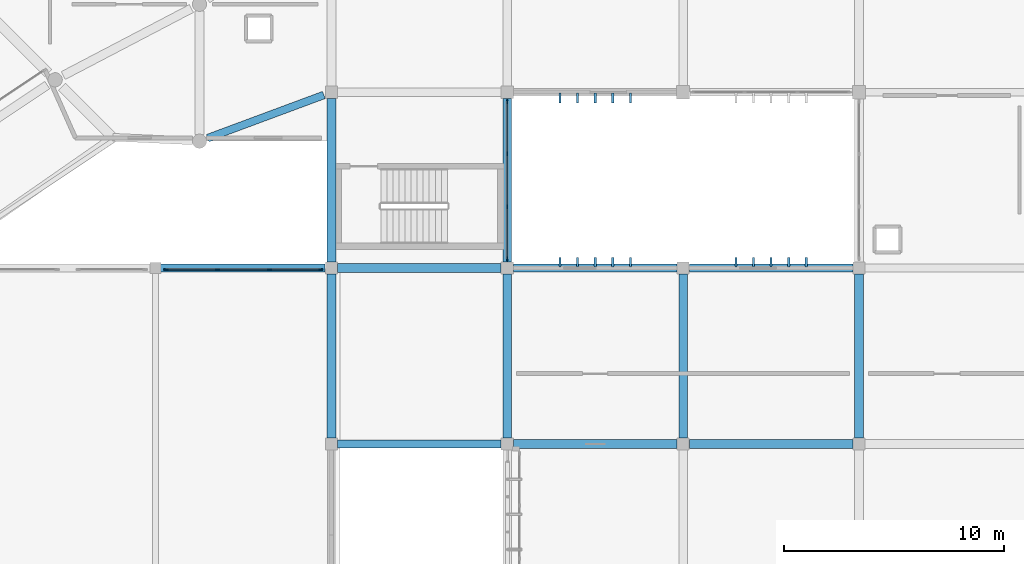
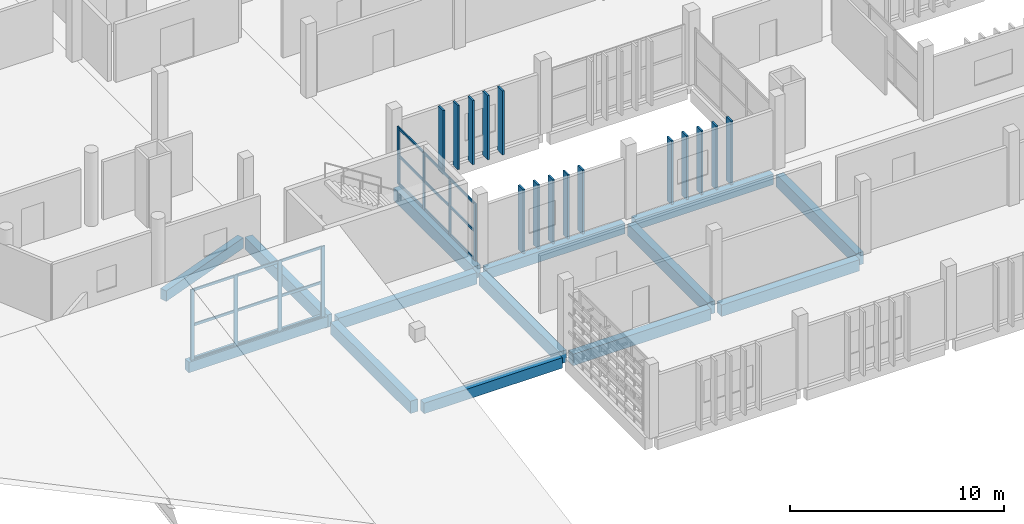
# One storey, part 14 of 83: 41 members, 14 beams, 2 elements without a shape of their own.
"""IFC4 building model written with IfcOpenShell, lengths in metres."""

from ifc_helpers import new_model, si_unit, direction, frame, origin, origin_2d, place, context, subcontext, project, spatial, rectangle, extrude, material, layer, layer_set, material_profile, profile_set, type_object, element, aggregate, save


model = new_model("IFC4")

# Units and contexts
model_context = context("Model", 3, precision=1e-05, world=origin(), true_north=direction((0.0, 1.0)))
body_context = subcontext(model_context, "Body", "Model", "MODEL_VIEW")
ifc_project = project(units=[si_unit("LENGTHUNIT", "METRE"), si_unit("AREAUNIT", "SQUARE_METRE"), si_unit("VOLUMEUNIT", "CUBIC_METRE"), si_unit("PLANEANGLEUNIT", "RADIAN"), si_unit("MASSUNIT", "GRAM", prefix="KILO")], contexts=[model_context])

# Site, building, storey
site_placement = place(None, origin())
site = spatial("IfcSite", under=ifc_project, at=site_placement, CompositionType="ELEMENT")
building_placement = place(site_placement, origin())
building = spatial("IfcBuilding", under=site, at=building_placement, Name="Jelvoka-Kovrelna Polytechnic", CompositionType="ELEMENT")
storey_placement = place(building_placement, frame((0.0, 0.0, 13.800048828125)))
storey = spatial("IfcBuildingStorey", under=building, at=storey_placement, Name="L04", CompositionType="ELEMENT", Elevation=13.800048828125)

# Beams
ifc_material_1 = material(Name="Concrete C40/50", Category="concrete")
ifc_material_profile_1 = material_profile(ifc_material_1, rectangle(XDim=0.39990234375, YDim=0.64990234375, at=origin_2d()), Name="RC 400x650")
ifc_profile_set_1 = profile_set([ifc_material_profile_1], Name="Concrete C40/50")
beam_type_1 = type_object("IfcBeamType", Name="Beam_RC_400x650", PredefinedType="BEAM", material=ifc_profile_set_1)
for number, where, z_axis, x_axis, name in (
    (1, (56.280029296875, 16.0, -0.574951171875), (1.0, 0.0, 0.0), (0.0, 1.0, 0.0), "L04 beam 1119"),
    (2, (64.280029296875, 16.0, -0.574951171875), (1.0, 0.0, 0.0), (0.0, 1.0, 0.0), "L04 beam 1120"),
    (3, (48.280029296875, 24.0, -0.574951171875), (1.0, 0.0, 0.0), (0.0, 1.0, 0.0), "L04 beam 1343"),
):
    element("IfcBeam", number, at=place(storey_placement, frame(where, z_axis=z_axis, x_axis=x_axis)), inside=storey, type_object=beam_type_1, Name=name, PredefinedType="BEAM", context=body_context, shape_type="SweptSolid", body=[
        extrude(rectangle(XDim=0.39990234375, YDim=0.64990234375, at=origin_2d()), origin(), (0.0, 0.0, 1.0), 7.43994140625),
    ])
ifc_material_2 = material(Name="Concrete C40/50", Category="concrete")
ifc_material_profile_2 = material_profile(ifc_material_2, rectangle(XDim=0.39990234375, YDim=0.699951171875, at=origin_2d()), Name="RC 400x700")
ifc_profile_set_2 = profile_set([ifc_material_profile_2], Name="Concrete C40/50")
beam_type_2 = type_object("IfcBeamType", Name="Beam_RC_400x700", PredefinedType="BEAM", material=ifc_profile_set_2)
for number, where, z_axis, x_axis, name in (
    (4, (56.0, 16.280029296875, -0.60009765625), (0.0, 1.0, 0.0), (-1.0, 0.0, 0.0), "L04 beam 1133"),
    (5, (64.0, 16.280029296875, -0.60009765625), (0.0, 1.0, 0.0), (-1.0, 0.0, 0.0), "L04 beam 1135"),
    (6, (72.0, 16.280029296875, -0.60009765625), (0.0, 1.0, 0.0), (-1.0, 0.0, 0.0), "L04 beam 1137"),
    (7, (48.0, 16.280029296875, -0.60009765625), (0.0, 1.0, 0.0), (-1.0, 0.0, 0.0), "L04 beam 1350"),
    (8, (48.0, 24.280029296875, -0.60009765625), (0.0, 1.0, 0.0), (-1.0, 0.0, 0.0), "L04 beam 1351"),
    (9, (56.0, 24.280029296875, -0.60009765625), (0.0, 1.0, 0.0), (-1.0, 0.0, 0.0), "L04 beam 1357"),
):
    element("IfcBeam", number, at=place(storey_placement, frame(where, z_axis=z_axis, x_axis=x_axis)), inside=storey, type_object=beam_type_2, Name=name, PredefinedType="BEAM", context=body_context, shape_type="SweptSolid", body=[
        extrude(rectangle(XDim=0.39990234375, YDim=0.699951171875, at=origin_2d()), origin(), (0.0, 0.0, 1.0), 7.43994140625),
    ])

# Members
ifc_material_3 = material(Name="Precast concrete C40/50", Category="concrete")
ifc_material_profile_3 = material_profile(ifc_material_3, rectangle(XDim=0.10009765625, YDim=0.449951171875, at=origin_2d()), Name="PC 100x450")
ifc_profile_set_3 = profile_set([ifc_material_profile_3], Name="Precast concrete C40/50")
member_type_1 = type_object("IfcMemberType", Name="Louvre_Fin_100x450", PredefinedType="USERDEFINED", material=ifc_profile_set_3)
for number, where, z_axis, x_axis, name in (
    (10, (58.39990234375, 24.264892578125, -0.27001953125), (0.0, 0.0, 1.0), (1.0, 0.0, 0.0), "L04 B1 north vertical solar louvre fin 0341"),
    (11, (59.199951171875, 24.264892578125, -0.27001953125), (0.0, 0.0, 1.0), (1.0, 0.0, 0.0), "L04 B1 north vertical solar louvre fin 0342"),
    (12, (60.0, 24.264892578125, -0.27001953125), (0.0, 0.0, 1.0), (1.0, 0.0, 0.0), "L04 B1 north vertical solar louvre fin 0343"),
    (13, (60.800048828125, 24.264892578125, -0.27001953125), (0.0, 0.0, 1.0), (1.0, 0.0, 0.0), "L04 B1 north vertical solar louvre fin 0344"),
    (14, (61.60009765625, 24.264892578125, -0.27001953125), (0.0, 0.0, 1.0), (1.0, 0.0, 0.0), "L04 B1 north vertical solar louvre fin 0345"),
):
    element("IfcMember", number, at=place(storey_placement, frame(where, z_axis=z_axis, x_axis=x_axis)), inside=storey, type_object=member_type_1, Name=name, ObjectType="SUNSHADE", PredefinedType="USERDEFINED", context=body_context, shape_type="SweptSolid", body=[
        extrude(rectangle(XDim=0.10009765625, YDim=0.449951171875, at=origin_2d()), origin(), (0.0, 0.0, 1.0), 3.669921875),
    ])
for number, where, z_axis, x_axis, name in (
    (15, (66.39990234375, 24.264892578125, -0.27001953125), (0.0, 0.0, 1.0), (1.0, 0.0, 0.0), "L04 B1 north vertical solar louvre fin 0351"),
    (16, (67.199951171875, 24.264892578125, -0.27001953125), (0.0, 0.0, 1.0), (1.0, 0.0, 0.0), "L04 B1 north vertical solar louvre fin 0352"),
    (17, (68.0, 24.264892578125, -0.27001953125), (0.0, 0.0, 1.0), (1.0, 0.0, 0.0), "L04 B1 north vertical solar louvre fin 0353"),
    (18, (68.800048828125, 24.264892578125, -0.27001953125), (0.0, 0.0, 1.0), (1.0, 0.0, 0.0), "L04 B1 north vertical solar louvre fin 0354"),
    (19, (69.60009765625, 24.264892578125, -0.27001953125), (0.0, 0.0, 1.0), (1.0, 0.0, 0.0), "L04 B1 north vertical solar louvre fin 0355"),
    (20, (58.39990234375, 31.735107421875, -0.27001953125), (0.0, 0.0, 1.0), (1.0, 0.0, 0.0), "L04 B2W south vertical solar louvre fin 0701"),
    (21, (59.199951171875, 31.735107421875, -0.27001953125), (0.0, 0.0, 1.0), (1.0, 0.0, 0.0), "L04 B2W south vertical solar louvre fin 0702"),
    (22, (60.0, 31.735107421875, -0.27001953125), (0.0, 0.0, 1.0), (1.0, 0.0, 0.0), "L04 B2W south vertical solar louvre fin 0703"),
    (23, (60.800048828125, 31.735107421875, -0.27001953125), (0.0, 0.0, 1.0), (1.0, 0.0, 0.0), "L04 B2W south vertical solar louvre fin 0704"),
    (24, (61.60009765625, 31.735107421875, -0.27001953125), (0.0, 0.0, 1.0), (1.0, 0.0, 0.0), "L04 B2W south vertical solar louvre fin 0705"),
):
    element("IfcMember", number, at=place(storey_placement, frame(where, z_axis=z_axis, x_axis=x_axis)), inside=storey, type_object=member_type_1, Name=name, ObjectType="SUNSHADE", PredefinedType="USERDEFINED", context=body_context, shape_type="SweptSolid", body=[
        extrude(rectangle(XDim=0.10009765625, YDim=0.449951171875, at=origin_2d()), origin(), (0.0, 0.0, 1.0), 3.64501953125),
    ])

# Curtain wall, members
ifc_material_4 = material(Name="Anodised aluminium 6063-T6", Category="aluminium")
ifc_layer_1 = layer(ifc_material_4, 0.199951171875)
ifc_layer_set_1 = layer_set([ifc_layer_1], Name="Anodised aluminium 6063-T6")
curtain_wall_type_1 = type_object("IfcCurtainWallType", Name="CW_Clerestory", PredefinedType="NOTDEFINED", material=ifc_layer_set_1)
curtain_wall_1_placement = place(storey_placement, origin())
curtain_wall_1 = element("IfcCurtainWall", 25, at=curtain_wall_1_placement, inside=storey, type_object=curtain_wall_type_1, Name="L04 glazed curtain wall 302", PredefinedType="NOTDEFINED")
ifc_material_5 = material(Name="Anodised aluminium 6063-T6", Category="aluminium")
ifc_material_profile_4 = material_profile(ifc_material_5, rectangle(XDim=0.070068359375, YDim=0.199951171875, at=origin_2d()), Name="ALU 70x200")
ifc_profile_set_4 = profile_set([ifc_material_profile_4], Name="Anodised aluminium 6063-T6")
member_type_2 = type_object("IfcMemberType", Name="Mullion_M-03", PredefinedType="MULLION", material=ifc_profile_set_4)
member_1_placement = place(storey_placement, frame((40.485107421875, 23.93994140625, -0.02490234375), z_axis=(0.0, 0.0, 1.0), x_axis=(0.0, 1.0, 0.0)))
member_1 = element("IfcMember", 26, at=member_1_placement, type_object=member_type_2, Name="CW-03 mullion 1", PredefinedType="MULLION", context=body_context, shape_type="SweptSolid", body=[
    extrude(rectangle(XDim=0.070068359375, YDim=0.199951171875, at=origin_2d()), origin(), (0.0, 0.0, 1.0), 4.10009765625),
])
member_2_placement = place(storey_placement, frame((42.816650390625, 23.93994140625, -0.02490234375), z_axis=(0.0, 0.0, 1.0), x_axis=(0.0, 1.0, 0.0)))
member_2 = element("IfcMember", 27, at=member_2_placement, type_object=member_type_2, Name="CW-03 mullion 2", PredefinedType="MULLION", context=body_context, shape_type="SweptSolid", body=[
    extrude(rectangle(XDim=0.070068359375, YDim=0.199951171875, at=origin_2d()), origin(), (0.0, 0.0, 1.0), 4.10009765625),
])
member_3_placement = place(storey_placement, frame((45.183349609375, 23.93994140625, -0.02490234375), z_axis=(0.0, 0.0, 1.0), x_axis=(0.0, 1.0, 0.0)))
member_3 = element("IfcMember", 28, at=member_3_placement, type_object=member_type_2, Name="CW-03 mullion 3", PredefinedType="MULLION", context=body_context, shape_type="SweptSolid", body=[
    extrude(rectangle(XDim=0.070068359375, YDim=0.199951171875, at=origin_2d()), origin(), (0.0, 0.0, 1.0), 4.10009765625),
])
member_4_placement = place(storey_placement, frame((47.514892578125, 23.93994140625, -0.02490234375), z_axis=(0.0, 0.0, 1.0), x_axis=(0.0, 1.0, 0.0)))
member_4 = element("IfcMember", 29, at=member_4_placement, type_object=member_type_2, Name="CW-03 mullion 4", PredefinedType="MULLION", context=body_context, shape_type="SweptSolid", body=[
    extrude(rectangle(XDim=0.070068359375, YDim=0.199951171875, at=origin_2d()), origin(), (0.0, 0.0, 1.0), 4.10009765625),
])

ifc_material_6 = material(Name="Anodised aluminium 6063-T6", Category="aluminium")
ifc_layer_2 = layer(ifc_material_6, 0.179931640625)
ifc_layer_set_2 = layer_set([ifc_layer_2], Name="Anodised aluminium 6063-T6")
curtain_wall_type_2 = type_object("IfcCurtainWallType", Name="CW_Pavilion", PredefinedType="NOTDEFINED", material=ifc_layer_set_2)
curtain_wall_2_placement = place(storey_placement, origin())
curtain_wall_2 = element("IfcCurtainWall", 30, at=curtain_wall_2_placement, inside=storey, type_object=curtain_wall_type_2, Name="L04 glazed curtain wall 140", PredefinedType="NOTDEFINED")
ifc_material_7 = material(Name="Anodised aluminium 6063-T6", Category="aluminium")
ifc_material_profile_5 = material_profile(ifc_material_7, rectangle(XDim=0.06494140625, YDim=0.179931640625, at=origin_2d()), Name="ALU 65x180")
ifc_profile_set_5 = profile_set([ifc_material_profile_5], Name="Anodised aluminium 6063-T6")
member_type_3 = type_object("IfcMemberType", Name="Mullion_M-05", PredefinedType="MULLION", material=ifc_profile_set_5)
member_5_placement = place(storey_placement, frame((56.0, 31.5673828125, -0.02490234375), z_axis=(0.0, 0.0, 1.0), x_axis=(1.0, 0.0, 0.0)))
member_5 = element("IfcMember", 31, at=member_5_placement, type_object=member_type_3, Name="CW-05 mullion 1", PredefinedType="MULLION", context=body_context, shape_type="SweptSolid", body=[
    extrude(rectangle(XDim=0.06494140625, YDim=0.179931640625, at=origin_2d()), origin(), (0.0, 0.0, 1.0), 3.27490234375),
])
member_6_placement = place(storey_placement, frame((56.0, 29.199951171875, -0.02490234375), z_axis=(0.0, 0.0, 1.0), x_axis=(1.0, 0.0, 0.0)))
member_6 = element("IfcMember", 32, at=member_6_placement, type_object=member_type_3, Name="CW-05 mullion 2", PredefinedType="MULLION", context=body_context, shape_type="SweptSolid", body=[
    extrude(rectangle(XDim=0.06494140625, YDim=0.179931640625, at=origin_2d()), origin(), (0.0, 0.0, 1.0), 3.27490234375),
])
member_7_placement = place(storey_placement, frame((56.0, 26.800048828125, -0.02490234375), z_axis=(0.0, 0.0, 1.0), x_axis=(1.0, 0.0, 0.0)))
member_7 = element("IfcMember", 33, at=member_7_placement, type_object=member_type_3, Name="CW-05 mullion 3", PredefinedType="MULLION", context=body_context, shape_type="SweptSolid", body=[
    extrude(rectangle(XDim=0.06494140625, YDim=0.179931640625, at=origin_2d()), origin(), (0.0, 0.0, 1.0), 3.27490234375),
])
member_8_placement = place(storey_placement, frame((56.0, 24.4326171875, -0.02490234375), z_axis=(0.0, 0.0, 1.0), x_axis=(1.0, 0.0, 0.0)))
member_8 = element("IfcMember", 34, at=member_8_placement, type_object=member_type_3, Name="CW-05 mullion 4", PredefinedType="MULLION", context=body_context, shape_type="SweptSolid", body=[
    extrude(rectangle(XDim=0.06494140625, YDim=0.179931640625, at=origin_2d()), origin(), (0.0, 0.0, 1.0), 3.27490234375),
])

# Beams
ifc_material_8 = material(Name="Concrete C40/50", Category="concrete")
ifc_material_profile_6 = material_profile(ifc_material_8, rectangle(XDim=0.35009765625, YDim=0.60009765625, at=origin_2d()), Name="RC 350x600")
ifc_profile_set_6 = profile_set([ifc_material_profile_6], Name="Concrete C40/50")
beam_type_3 = type_object("IfcBeamType", Name="Spandrel_RC_350x600", PredefinedType="SPANDREL", material=ifc_profile_set_6)
beam_1_placement = place(storey_placement, frame((40.22998046875, 24.0, -0.25), z_axis=(1.0, 0.0, 0.0), x_axis=(0.0, 1.0, 0.0)))
element("IfcBeam", 35, at=beam_1_placement, inside=storey, type_object=beam_type_3, Name="L04 beam 0245", PredefinedType="SPANDREL", context=body_context, shape_type="SweptSolid", body=[
    extrude(rectangle(XDim=0.35009765625, YDim=0.60009765625, at=origin_2d()), origin(), (0.0, 0.0, 1.0), 7.489990234375),
])
for number, where, z_axis, x_axis, name in (
    (36, (56.280029296875, 24.0, -0.550048828125), (1.0, 0.0, 0.0), (0.0, 1.0, 0.0), "L04 beam 1125"),
    (37, (64.280029296875, 24.0, -0.550048828125), (1.0, 0.0, 0.0), (0.0, 1.0, 0.0), "L04 beam 1126"),
    (38, (48.280029296875, 16.0, -0.550048828125), (1.0, 0.0, 0.0), (0.0, 1.0, 0.0), "L04 beam 1342"),
):
    element("IfcBeam", number, at=place(storey_placement, frame(where, z_axis=z_axis, x_axis=x_axis)), inside=storey, type_object=beam_type_3, Name=name, PredefinedType="SPANDREL", context=body_context, shape_type="SweptSolid", body=[
        extrude(rectangle(XDim=0.35009765625, YDim=0.60009765625, at=origin_2d()), origin(), (0.0, 0.0, 1.0), 7.43994140625),
    ])
beam_2_placement = place(storey_placement, frame((42.372802734375, 29.91064453125, -0.550048828125), z_axis=(0.937461618121, 0.348088659036, 0.0), x_axis=(-0.348088659036, 0.937461618121, 0.0)))
element("IfcBeam", 39, at=beam_2_placement, inside=storey, type_object=beam_type_3, Name="L04 beam 2592", PredefinedType="SPANDREL", context=body_context, shape_type="SweptSolid", body=[
    extrude(rectangle(XDim=0.35009765625, YDim=0.60009765625, at=origin_2d()), origin(), (0.0, 0.0, 1.0), 5.636962890625),
])

# Member
ifc_material_9 = material(Name="Anodised aluminium 6063-T6", Category="aluminium")
ifc_material_profile_7 = material_profile(ifc_material_9, rectangle(XDim=0.070068359375, YDim=0.14501953125, at=origin_2d()), Name="ALU 70x145")
ifc_profile_set_7 = profile_set([ifc_material_profile_7], Name="Anodised aluminium 6063-T6")
member_type_4 = type_object("IfcMemberType", Name="Transom_T-03", PredefinedType="USERDEFINED", material=ifc_profile_set_7)
member_9_placement = place(storey_placement, frame((40.52001953125, 23.93994140625, 0.034912109375), z_axis=(1.0, 0.0, 0.0), x_axis=(0.0, 1.0, 0.0)))
member_9 = element("IfcMember", 40, at=member_9_placement, type_object=member_type_4, Name="CW-03 transom 1.1", ObjectType="TRANSOM", PredefinedType="USERDEFINED", context=body_context, shape_type="SweptSolid", body=[
    extrude(rectangle(XDim=0.070068359375, YDim=0.14501953125, at=origin_2d()), origin(), (0.0, 0.0, 1.0), 2.26171875),
])

member_10_placement = place(storey_placement, frame((40.52001953125, 23.93994140625, 2.02490234375), z_axis=(1.0, 0.0, 0.0), x_axis=(0.0, 1.0, 0.0)))
member_10 = element("IfcMember", 41, at=member_10_placement, type_object=member_type_4, Name="CW-03 transom 1.2", ObjectType="TRANSOM", PredefinedType="USERDEFINED", context=body_context, shape_type="SweptSolid", body=[
    extrude(rectangle(XDim=0.070068359375, YDim=0.14501953125, at=origin_2d()), origin(), (0.0, 0.0, 1.0), 2.26171875),
])

member_11_placement = place(storey_placement, frame((40.52001953125, 23.93994140625, 4.014892578125), z_axis=(1.0, 0.0, 0.0), x_axis=(0.0, 1.0, 0.0)))
member_11 = element("IfcMember", 42, at=member_11_placement, type_object=member_type_4, Name="CW-03 transom 1.3", ObjectType="TRANSOM", PredefinedType="USERDEFINED", context=body_context, shape_type="SweptSolid", body=[
    extrude(rectangle(XDim=0.070068359375, YDim=0.14501953125, at=origin_2d()), origin(), (0.0, 0.0, 1.0), 2.26171875),
])

member_12_placement = place(storey_placement, frame((42.8515625, 23.93994140625, 0.034912109375), z_axis=(1.0, 0.0, 0.0), x_axis=(0.0, 1.0, 0.0)))
member_12 = element("IfcMember", 43, at=member_12_placement, type_object=member_type_4, Name="CW-03 transom 2.1", ObjectType="TRANSOM", PredefinedType="USERDEFINED", context=body_context, shape_type="SweptSolid", body=[
    extrude(rectangle(XDim=0.070068359375, YDim=0.14501953125, at=origin_2d()), origin(), (0.0, 0.0, 1.0), 2.296875),
])

member_13_placement = place(storey_placement, frame((42.8515625, 23.93994140625, 2.02490234375), z_axis=(1.0, 0.0, 0.0), x_axis=(0.0, 1.0, 0.0)))
member_13 = element("IfcMember", 44, at=member_13_placement, type_object=member_type_4, Name="CW-03 transom 2.2", ObjectType="TRANSOM", PredefinedType="USERDEFINED", context=body_context, shape_type="SweptSolid", body=[
    extrude(rectangle(XDim=0.070068359375, YDim=0.14501953125, at=origin_2d()), origin(), (0.0, 0.0, 1.0), 2.296875),
])

member_14_placement = place(storey_placement, frame((42.8515625, 23.93994140625, 4.014892578125), z_axis=(1.0, 0.0, 0.0), x_axis=(0.0, 1.0, 0.0)))
member_14 = element("IfcMember", 45, at=member_14_placement, type_object=member_type_4, Name="CW-03 transom 2.3", ObjectType="TRANSOM", PredefinedType="USERDEFINED", context=body_context, shape_type="SweptSolid", body=[
    extrude(rectangle(XDim=0.070068359375, YDim=0.14501953125, at=origin_2d()), origin(), (0.0, 0.0, 1.0), 2.296875),
])

member_15_placement = place(storey_placement, frame((45.21826171875, 23.93994140625, 0.034912109375), z_axis=(1.0, 0.0, 0.0), x_axis=(0.0, 1.0, 0.0)))
member_15 = element("IfcMember", 46, at=member_15_placement, type_object=member_type_4, Name="CW-03 transom 3.1", ObjectType="TRANSOM", PredefinedType="USERDEFINED", context=body_context, shape_type="SweptSolid", body=[
    extrude(rectangle(XDim=0.070068359375, YDim=0.14501953125, at=origin_2d()), origin(), (0.0, 0.0, 1.0), 2.26171875),
])

member_16_placement = place(storey_placement, frame((45.21826171875, 23.93994140625, 2.02490234375), z_axis=(1.0, 0.0, 0.0), x_axis=(0.0, 1.0, 0.0)))
member_16 = element("IfcMember", 47, at=member_16_placement, type_object=member_type_4, Name="CW-03 transom 3.2", ObjectType="TRANSOM", PredefinedType="USERDEFINED", context=body_context, shape_type="SweptSolid", body=[
    extrude(rectangle(XDim=0.070068359375, YDim=0.14501953125, at=origin_2d()), origin(), (0.0, 0.0, 1.0), 2.26171875),
])

member_17_placement = place(storey_placement, frame((45.21826171875, 23.93994140625, 4.014892578125), z_axis=(1.0, 0.0, 0.0), x_axis=(0.0, 1.0, 0.0)))
member_17 = element("IfcMember", 48, at=member_17_placement, type_object=member_type_4, Name="CW-03 transom 3.3", ObjectType="TRANSOM", PredefinedType="USERDEFINED", context=body_context, shape_type="SweptSolid", body=[
    extrude(rectangle(XDim=0.070068359375, YDim=0.14501953125, at=origin_2d()), origin(), (0.0, 0.0, 1.0), 2.26171875),
])

aggregate(curtain_wall_1, [member_1, member_2, member_3, member_4, member_9, member_10, member_11, member_12, member_13, member_14, member_15, member_16, member_17])

ifc_material_10 = material(Name="Anodised aluminium 6063-T6", Category="aluminium")
ifc_material_profile_8 = material_profile(ifc_material_10, rectangle(XDim=0.06494140625, YDim=0.135009765625, at=origin_2d()), Name="ALU 65x135")
ifc_profile_set_8 = profile_set([ifc_material_profile_8], Name="Anodised aluminium 6063-T6")
member_type_5 = type_object("IfcMemberType", Name="Transom_T-05", PredefinedType="USERDEFINED", material=ifc_profile_set_8)
member_18_placement = place(storey_placement, frame((56.0, 31.534912109375, 0.032470703125), z_axis=(0.0, -1.0, 0.0), x_axis=(1.0, 0.0, 0.0)))
member_18 = element("IfcMember", 49, at=member_18_placement, type_object=member_type_5, Name="CW-05 transom 1.1", ObjectType="TRANSOM", PredefinedType="USERDEFINED", context=body_context, shape_type="SweptSolid", body=[
    extrude(rectangle(XDim=0.06494140625, YDim=0.135009765625, at=origin_2d()), origin(), (0.0, 0.0, 1.0), 2.302490234375),
])

member_19_placement = place(storey_placement, frame((56.0, 31.534912109375, 1.612548828125), z_axis=(0.0, -1.0, 0.0), x_axis=(1.0, 0.0, 0.0)))
member_19 = element("IfcMember", 50, at=member_19_placement, type_object=member_type_5, Name="CW-05 transom 1.2", ObjectType="TRANSOM", PredefinedType="USERDEFINED", context=body_context, shape_type="SweptSolid", body=[
    extrude(rectangle(XDim=0.06494140625, YDim=0.135009765625, at=origin_2d()), origin(), (0.0, 0.0, 1.0), 2.302490234375),
])

member_20_placement = place(storey_placement, frame((56.0, 31.534912109375, 3.1923828125), z_axis=(0.0, -1.0, 0.0), x_axis=(1.0, 0.0, 0.0)))
member_20 = element("IfcMember", 51, at=member_20_placement, type_object=member_type_5, Name="CW-05 transom 1.3", ObjectType="TRANSOM", PredefinedType="USERDEFINED", context=body_context, shape_type="SweptSolid", body=[
    extrude(rectangle(XDim=0.06494140625, YDim=0.135009765625, at=origin_2d()), origin(), (0.0, 0.0, 1.0), 2.302490234375),
])

member_21_placement = place(storey_placement, frame((56.0, 29.16748046875, 0.032470703125), z_axis=(0.0, -1.0, 0.0), x_axis=(1.0, 0.0, 0.0)))
member_21 = element("IfcMember", 52, at=member_21_placement, type_object=member_type_5, Name="CW-05 transom 2.1", ObjectType="TRANSOM", PredefinedType="USERDEFINED", context=body_context, shape_type="SweptSolid", body=[
    extrude(rectangle(XDim=0.06494140625, YDim=0.135009765625, at=origin_2d()), origin(), (0.0, 0.0, 1.0), 2.3349609375),
])

member_22_placement = place(storey_placement, frame((56.0, 29.16748046875, 1.612548828125), z_axis=(0.0, -1.0, 0.0), x_axis=(1.0, 0.0, 0.0)))
member_22 = element("IfcMember", 53, at=member_22_placement, type_object=member_type_5, Name="CW-05 transom 2.2", ObjectType="TRANSOM", PredefinedType="USERDEFINED", context=body_context, shape_type="SweptSolid", body=[
    extrude(rectangle(XDim=0.06494140625, YDim=0.135009765625, at=origin_2d()), origin(), (0.0, 0.0, 1.0), 2.3349609375),
])

member_23_placement = place(storey_placement, frame((56.0, 29.16748046875, 3.1923828125), z_axis=(0.0, -1.0, 0.0), x_axis=(1.0, 0.0, 0.0)))
member_23 = element("IfcMember", 54, at=member_23_placement, type_object=member_type_5, Name="CW-05 transom 2.3", ObjectType="TRANSOM", PredefinedType="USERDEFINED", context=body_context, shape_type="SweptSolid", body=[
    extrude(rectangle(XDim=0.06494140625, YDim=0.135009765625, at=origin_2d()), origin(), (0.0, 0.0, 1.0), 2.3349609375),
])

member_24_placement = place(storey_placement, frame((56.0, 26.767578125, 0.032470703125), z_axis=(0.0, -1.0, 0.0), x_axis=(1.0, 0.0, 0.0)))
member_24 = element("IfcMember", 55, at=member_24_placement, type_object=member_type_5, Name="CW-05 transom 3.1", ObjectType="TRANSOM", PredefinedType="USERDEFINED", context=body_context, shape_type="SweptSolid", body=[
    extrude(rectangle(XDim=0.06494140625, YDim=0.135009765625, at=origin_2d()), origin(), (0.0, 0.0, 1.0), 2.302490234375),
])

member_25_placement = place(storey_placement, frame((56.0, 26.767578125, 1.612548828125), z_axis=(0.0, -1.0, 0.0), x_axis=(1.0, 0.0, 0.0)))
member_25 = element("IfcMember", 56, at=member_25_placement, type_object=member_type_5, Name="CW-05 transom 3.2", ObjectType="TRANSOM", PredefinedType="USERDEFINED", context=body_context, shape_type="SweptSolid", body=[
    extrude(rectangle(XDim=0.06494140625, YDim=0.135009765625, at=origin_2d()), origin(), (0.0, 0.0, 1.0), 2.302490234375),
])

member_26_placement = place(storey_placement, frame((56.0, 26.767578125, 3.1923828125), z_axis=(0.0, -1.0, 0.0), x_axis=(1.0, 0.0, 0.0)))
member_26 = element("IfcMember", 57, at=member_26_placement, type_object=member_type_5, Name="CW-05 transom 3.3", ObjectType="TRANSOM", PredefinedType="USERDEFINED", context=body_context, shape_type="SweptSolid", body=[
    extrude(rectangle(XDim=0.06494140625, YDim=0.135009765625, at=origin_2d()), origin(), (0.0, 0.0, 1.0), 2.302490234375),
])

aggregate(curtain_wall_2, [member_5, member_6, member_7, member_8, member_18, member_19, member_20, member_21, member_22, member_23, member_24, member_25, member_26])

save(model, "model.ifc")
